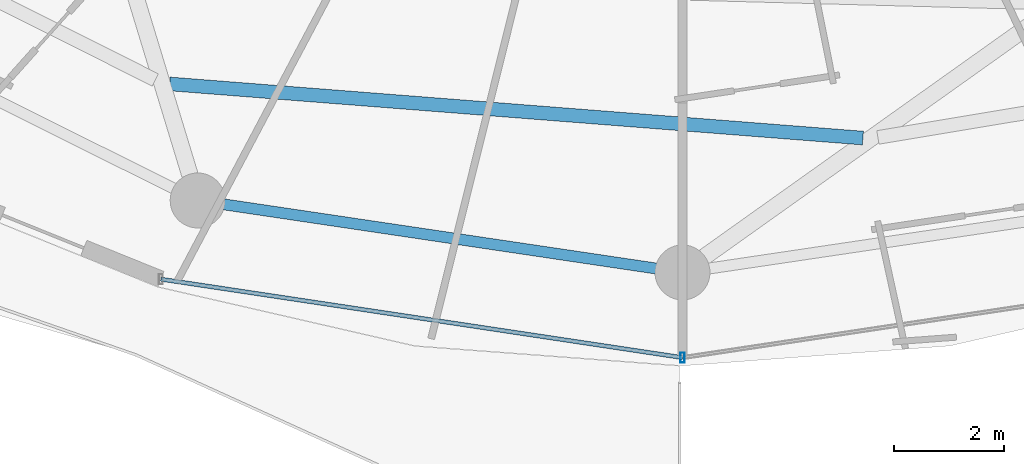
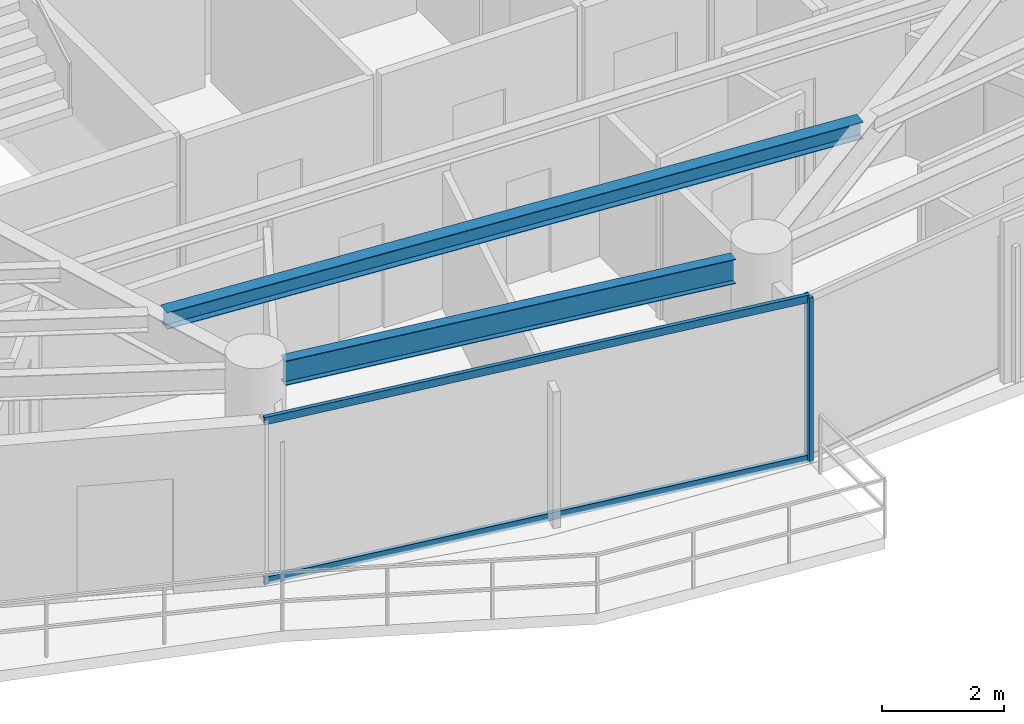
# One storey, part 4 of 28: 3 members, 2 beams, 1 element without a shape of its own.
"""IFC4 building model written with IfcOpenShell, lengths in metres."""

import ifcopenshell
import ifcopenshell.guid

model = None  # the IFC model being written
_history = None  # IfcOwnerHistory: only IFC2X3 demands one
_inside = {}  # id of a spatial element -> (the spatial element, [elements in it])
_under = {}  # id of a project, library or spatial element -> (it, [spatial elements below it])
_declared = {}  # id of a project -> (the project, [libraries it declares])
_typed = {}  # id of a type object -> (the type object, [elements of that type])
_made_of = {}  # id of a material, layer set ... -> (it, [elements and type objects made of it])


def new_model(schema):
    """Start an empty IFC model of exactly this schema.

    Asked for "IFC4X3", IfcOpenShell would pick the latest addendum, in which some entities
    have other attributes; the version numbers below select the first issue.
    IFC2X3 requires an IfcOwnerHistory on every rooted entity: one is made here for all.
    """
    global model, _history
    if schema == "IFC4X3":
        model = ifcopenshell.file(schema_version=(4, 3, 0, 0))
    else:
        model = ifcopenshell.file(schema=schema)
    _inside.clear()
    _under.clear()
    _declared.clear()
    _typed.clear()
    _made_of.clear()
    _history = None
    if model.schema == "IFC2X3":
        org = make("IfcOrganization", Name="unknown")
        user = make(
            "IfcPersonAndOrganization",
            ThePerson=make("IfcPerson", FamilyName="unknown"),
            TheOrganization=org,
        )
        app = make(
            "IfcApplication",
            ApplicationDeveloper=org,
            Version="unknown",
            ApplicationFullName="unknown",
            ApplicationIdentifier="unknown",
        )
        _history = make(
            "IfcOwnerHistory",
            OwningUser=user,
            OwningApplication=app,
            ChangeAction="ADDED",
            CreationDate=0,
        )
    return model


def make(cls, **values):
    """One entity of the class cls with the attributes given. An attribute that is None is left unset."""
    return model.create_entity(
        cls, **{name: value for name, value in values.items() if value is not None}
    )


def rooted(cls, **values):
    """An entity with a GlobalId (a new one), such as an element, a storey or a relation."""
    return make(cls, GlobalId=ifcopenshell.guid.new(), OwnerHistory=_history, **values)


def si_unit(unit_type, name, prefix=None):
    """IfcSIUnit, for example si_unit("LENGTHUNIT", "METRE", prefix="MILLI")."""
    return make("IfcSIUnit", UnitType=unit_type, Prefix=prefix, Name=name)


def assignment(units):
    """IfcUnitAssignment: the units of a project."""
    return None if units is None else make("IfcUnitAssignment", Units=units)


def point(xyz):
    """IfcCartesianPoint."""
    return None if xyz is None else make("IfcCartesianPoint", Coordinates=xyz)


def direction(xyz):
    """IfcDirection."""
    return None if xyz is None else make("IfcDirection", DirectionRatios=xyz)


def frame(location, z_axis=None, x_axis=None):
    """IfcAxis2Placement3D, a coordinate frame: its origin and axes. An axis left out is left unset."""
    return make(
        "IfcAxis2Placement3D",
        Location=point(location),
        Axis=direction(z_axis),
        RefDirection=direction(x_axis),
    )


def frame_2d(location, x_axis=None):
    """IfcAxis2Placement2D, a coordinate frame in the plane: its origin and x axis."""
    return make(
        "IfcAxis2Placement2D", Location=point(location), RefDirection=direction(x_axis)
    )


def origin():
    """The frame at (0, 0, 0) with its axes left unset."""
    return frame((0.0, 0.0, 0.0))


def origin_2d():
    """The frame at (0, 0) in the plane with its x axis left unset."""
    return frame_2d((0.0, 0.0))


def place(relative_to, where):
    """IfcLocalPlacement: puts the frame where relative to a parent placement (None: the world)."""
    return make(
        "IfcLocalPlacement", PlacementRelTo=relative_to, RelativePlacement=where
    )


def context(
    kind, dimensions, precision=None, world=None, true_north=None, identifier=None
):
    """IfcGeometricRepresentationContext, for example the 3D "Model" context."""
    return make(
        "IfcGeometricRepresentationContext",
        ContextIdentifier=identifier,
        ContextType=kind,
        CoordinateSpaceDimension=dimensions,
        Precision=precision,
        WorldCoordinateSystem=world,
        TrueNorth=true_north,
    )


def subcontext(parent, identifier, kind, view, scale=None):
    """IfcGeometricRepresentationSubContext, for example "Body" below "Model"."""
    return make(
        "IfcGeometricRepresentationSubContext",
        ContextIdentifier=identifier,
        ContextType=kind,
        ParentContext=parent,
        TargetScale=scale,
        TargetView=view,
    )


def project(units=None, contexts=None):
    """IfcProject with its units and contexts."""
    return rooted(
        "IfcProject",
        Name="project",
        RepresentationContexts=contexts,
        UnitsInContext=assignment(units),
    )


def spatial(cls, under=None, at=None, **own):
    """A site, building, storey or space (cls), placed at a placement, below another one or the project."""
    s = rooted(cls, ObjectPlacement=at, **own)
    if under is not None:
        _under.setdefault(under.id(), (under, []))[1].append(s)
    return s


def profile(cls, at=None, kind="AREA", **sizes):
    """A parametric profile (cls). Its sizes go by their IFC names, for example OverallWidth=200.0."""
    return make(cls, ProfileType=kind, Position=at, **sizes)


def hollow_rectangle(**sizes):
    """IfcRectangleHollowProfileDef."""
    return profile("IfcRectangleHollowProfileDef", **sizes)


def i_section(**sizes):
    """IfcIShapeProfileDef."""
    return profile("IfcIShapeProfileDef", **sizes)


def extrude(swept, where, along, depth):
    """IfcExtrudedAreaSolid: the profile swept, set in the frame where, extruded along a direction by depth."""
    return make(
        "IfcExtrudedAreaSolid",
        SweptArea=swept,
        Position=where,
        ExtrudedDirection=direction(along),
        Depth=depth,
    )


def shape(context_of_items, identifier, shape_type, items):
    """IfcShapeRepresentation: the items that make up one representation, for example the "Body"."""
    return make(
        "IfcShapeRepresentation",
        ContextOfItems=context_of_items,
        RepresentationIdentifier=identifier,
        RepresentationType=shape_type,
        Items=items,
    )


def material(Name=None, Category=None):
    """IfcMaterial."""
    return make("IfcMaterial", Name=Name, Category=Category)


def material_profile(
    of_material, cross_section, Name=None, Category=None, Priority=None
):
    """IfcMaterialProfile: a cross section and its material."""
    return make(
        "IfcMaterialProfile",
        Name=Name,
        Material=of_material,
        Profile=cross_section,
        Priority=Priority,
        Category=Category,
    )


def profile_set(profiles, Name=None, composite=None):
    """IfcMaterialProfileSet."""
    return make(
        "IfcMaterialProfileSet",
        Name=Name,
        MaterialProfiles=profiles,
        CompositeProfile=composite,
    )


def made_of(thing, what):
    """Note that an element or type object is made of a material, layer set ...; save() writes the relation."""
    if what is not None:
        _made_of.setdefault(what.id(), (what, []))[1].append(thing)
    return thing


def type_object(cls, material=None, **own):
    """A type object (cls), such as IfcWallType, which elements share."""
    return made_of(rooted(cls, **own), material)


def element(
    cls,
    number,
    at=None,
    inside=None,
    cuts=None,
    type_object=None,
    material=None,
    context=None,
    identifier="Body",
    shape_type=None,
    held_by="IfcProductDefinitionShape",
    body=None,
    shapes=None,
    **own,
):
    """One element of the class cls, such as IfcWall. Its Tag is "e" and its number.

    at: its placement. inside: the storey or other place that contains it. cuts: it is an
    opening in that element (IfcRelVoidsElement). A single representation is given by context,
    identifier, shape_type and body (its items); several are given by shapes. held_by: the class
    of the entity that holds the representations. save() writes the other relations.
    """
    e = rooted(cls, Tag="e%d" % number, ObjectPlacement=at, **own)
    if body is not None:
        shapes = [shape(context, identifier, shape_type, body)]
    if shapes is not None:
        e.Representation = make(held_by, Representations=shapes)
    if inside is not None:
        _inside.setdefault(inside.id(), (inside, []))[1].append(e)
    if cuts is not None:
        rooted(
            "IfcRelVoidsElement", RelatingBuildingElement=cuts, RelatedOpeningElement=e
        )
    if type_object is not None:
        _typed.setdefault(type_object.id(), (type_object, []))[1].append(e)
    return made_of(e, material)


def aggregate(whole, parts):
    """IfcRelAggregates: a whole, such as a stair, and the parts it consists of."""
    return rooted("IfcRelAggregates", RelatingObject=whole, RelatedObjects=parts)


def save(model, path):
    """Write the relations noted so far, then the file.

    IfcRelAggregates (storeys below a building ...), IfcRelContainedInSpatialStructure (elements
    in a storey), IfcRelDefinesByType, IfcRelAssociatesMaterial and IfcRelDeclares: one each for
    every whole, place, type object, material and project.
    """
    for whole, parts in _under.values():
        aggregate(whole, parts)
    for where, things in _inside.values():
        rooted(
            "IfcRelContainedInSpatialStructure",
            RelatedElements=things,
            RelatingStructure=where,
        )
    for kind, things in _typed.values():
        rooted("IfcRelDefinesByType", RelatedObjects=things, RelatingType=kind)
    for what, things in _made_of.values():
        rooted("IfcRelAssociatesMaterial", RelatedObjects=things, RelatingMaterial=what)
    for by, libraries in _declared.values():
        rooted("IfcRelDeclares", RelatingContext=by, RelatedDefinitions=libraries)
    model.write(path)


model = new_model("IFC4")

# Units and contexts
model_context = context("Model", 3, precision=1e-05, world=origin(), true_north=direction((0.0, 1.0)))
body_context = subcontext(model_context, "Body", "Model", "MODEL_VIEW")
ifc_project = project(units=[si_unit("LENGTHUNIT", "METRE"), si_unit("AREAUNIT", "SQUARE_METRE"), si_unit("VOLUMEUNIT", "CUBIC_METRE"), si_unit("PLANEANGLEUNIT", "RADIAN"), si_unit("MASSUNIT", "GRAM", prefix="KILO")], contexts=[model_context])

# Site, building, storey
site_placement = place(None, origin())
site = spatial("IfcSite", under=ifc_project, at=site_placement, CompositionType="ELEMENT")
building_placement = place(site_placement, origin())
building = spatial("IfcBuilding", under=site, at=building_placement, Name="Vorneva Point Tower", CompositionType="ELEMENT")
storey_placement = place(building_placement, frame((0.0, 0.0, 160.60009765625)))
storey = spatial("IfcBuildingStorey", under=building, at=storey_placement, Name="L43", CompositionType="ELEMENT", Elevation=160.60009765625)

# Beams
ifc_material_1 = material(Name="Steel S355", Category="steel")
ifc_material_profile_1 = material_profile(ifc_material_1, i_section(OverallWidth=0.2490234375, OverallDepth=0.333984375, WebThickness=0.008056640625, FlangeThickness=0.010986328125, at=origin_2d()), Name="35Sh1")
ifc_profile_set_1 = profile_set([ifc_material_profile_1], Name="Steel S355")
beam_type_1 = type_object("IfcBeamType", Name="BM-SEC-35Sh1", PredefinedType="BEAM", material=ifc_profile_set_1)
beam_1_placement = place(storey_placement, frame((28.668212890625, 12.22998046875, 3.072998046875), z_axis=(0.996963101117, -0.077875381295, 0.0), x_axis=(0.077875381295, 0.996963101117, 0.0)))
element("IfcBeam", 1, at=beam_1_placement, inside=storey, type_object=beam_type_1, Name="L43 Secondary Floor Beam 1.12", PredefinedType="BEAM", context=body_context, shape_type="SweptSolid", body=[
    extrude(i_section(OverallWidth=0.2490234375, OverallDepth=0.333984375, WebThickness=0.008056640625, FlangeThickness=0.010986328125, at=origin_2d()), origin(), (0.0, 0.0, 1.0), 12.65283203125),
])
ifc_material_profile_2 = material_profile(ifc_material_1, i_section(OverallWidth=0.199951171875, OverallDepth=0.491943359375, WebThickness=0.0087890625, FlangeThickness=0.011962890625, at=origin_2d()), Name="50B1")
ifc_profile_set_2 = profile_set([ifc_material_profile_2], Name="Steel S355")
beam_type_2 = type_object("IfcBeamType", Name="BM-SPN-50B1", PredefinedType="SPANDREL", material=ifc_profile_set_2)
beam_2_placement = place(storey_placement, frame((29.65869140625, 10.0380859375, 2.993896484375), z_axis=(0.989161199046, -0.146833655211, 0.0), x_axis=(0.146833655211, 0.989161199046, 0.0)))
element("IfcBeam", 2, at=beam_2_placement, inside=storey, type_object=beam_type_2, Name="L43 Perimeter Spandrel Ring Beam 12", PredefinedType="SPANDREL", context=body_context, shape_type="SweptSolid", body=[
    extrude(i_section(OverallWidth=0.199951171875, OverallDepth=0.491943359375, WebThickness=0.0087890625, FlangeThickness=0.011962890625, at=origin_2d()), origin(), (0.0, 0.0, 1.0), 7.94775390625),
])

# Curtain wall, members
ifc_material_2 = material(Name="Pale anodised aluminium", Category="aluminium")
curtain_wall_type = type_object("IfcCurtainWallType", Name="CW-RES-SYS", PredefinedType="NOTDEFINED", material=ifc_material_2)
curtain_wall_placement = place(storey_placement, origin())
curtain_wall = element("IfcCurtainWall", 3, at=curtain_wall_placement, inside=storey, type_object=curtain_wall_type, Name="L43 Unitised Curtain Wall CW-L43-R04", PredefinedType="NOTDEFINED")
ifc_material_profile_3 = material_profile(ifc_material_2, hollow_rectangle(XDim=0.074951171875, YDim=0.179931640625, WallThickness=0.00390625, at=origin_2d()), Name="AL-MUL 180x75x4")
ifc_profile_set_3 = profile_set([ifc_material_profile_3], Name="Pale anodised aluminium")
member_type_1 = type_object("IfcMemberType", Name="CW-MUL-180", PredefinedType="MULLION", material=ifc_profile_set_3)
member_1_placement = place(storey_placement, frame((38.0, 7.25, -0.0400390625), z_axis=(0.0, 0.0, 1.0), x_axis=(1.0, 0.0, 0.0)))
member_1 = element("IfcMember", 4, at=member_1_placement, type_object=member_type_1, Name="CW-L43-R04 Mullion 02", PredefinedType="MULLION", context=body_context, shape_type="SweptSolid", body=[
    extrude(hollow_rectangle(XDim=0.074951171875, YDim=0.179931640625, WallThickness=0.00390625, at=origin_2d()), origin(), (0.0, 0.0, 1.0), 3.31005859375),
])
ifc_material_profile_4 = material_profile(ifc_material_2, hollow_rectangle(XDim=0.074951171875, YDim=0.14990234375, WallThickness=0.00390625, at=origin_2d()), Name="AL-TRN 150x75x4")
ifc_profile_set_4 = profile_set([ifc_material_profile_4], Name="Pale anodised aluminium")
member_type_2 = type_object("IfcMemberType", Name="CW-TRN-150", PredefinedType="USERDEFINED", material=ifc_profile_set_4)
member_2_placement = place(storey_placement, frame((28.509521484375, 8.67724609375, 0.02001953125), z_axis=(0.988880117727, -0.148714870687, 0.0), x_axis=(0.148714870687, 0.988880117727, 0.0)))
member_2 = element("IfcMember", 5, at=member_2_placement, type_object=member_type_2, Name="CW-L43-R04 Transom 01.1", ObjectType="TRANSOM", PredefinedType="USERDEFINED", context=body_context, shape_type="SweptSolid", body=[
    extrude(hollow_rectangle(XDim=0.074951171875, YDim=0.14990234375, WallThickness=0.00390625, at=origin_2d()), origin(), (0.0, 0.0, 1.0), 9.59716796875),
])
member_3_placement = place(storey_placement, frame((28.509521484375, 8.67724609375, 3.219970703125), z_axis=(0.988880117727, -0.148714870687, 0.0), x_axis=(0.148714870687, 0.988880117727, 0.0)))
member_3 = element("IfcMember", 6, at=member_3_placement, type_object=member_type_2, Name="CW-L43-R04 Transom 01.2", ObjectType="TRANSOM", PredefinedType="USERDEFINED", context=body_context, shape_type="SweptSolid", body=[
    extrude(hollow_rectangle(XDim=0.074951171875, YDim=0.14990234375, WallThickness=0.00390625, at=origin_2d()), origin(), (0.0, 0.0, 1.0), 9.59716796875),
])
aggregate(curtain_wall, [member_1, member_2, member_3])

save(model, "model.ifc")
